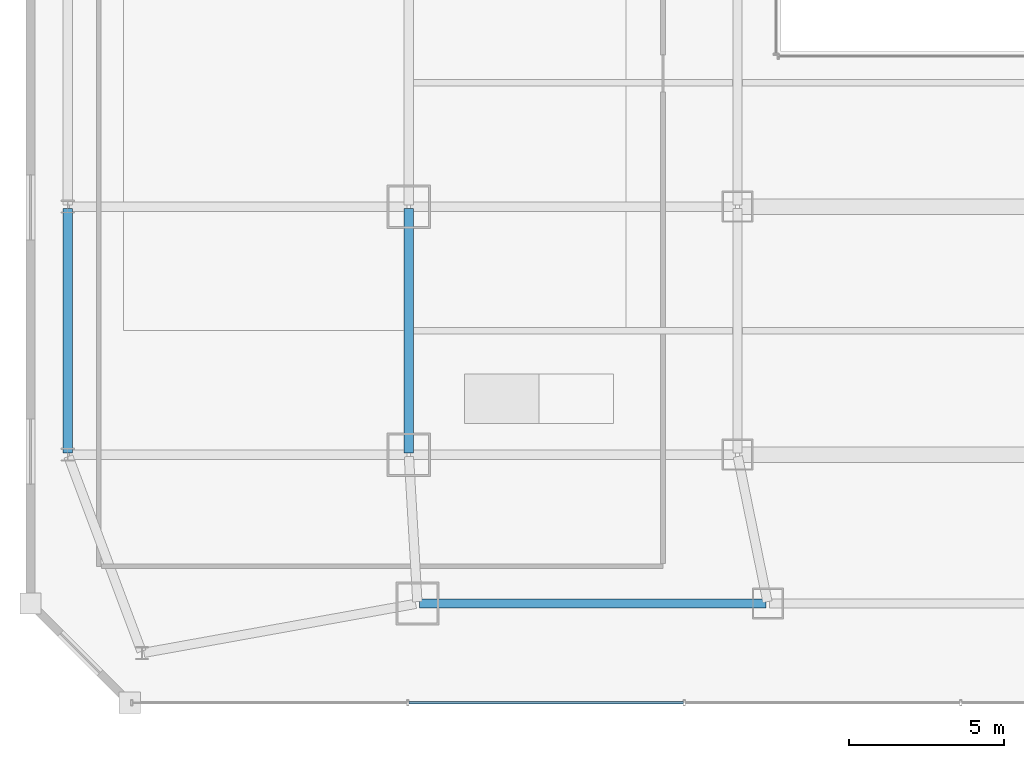
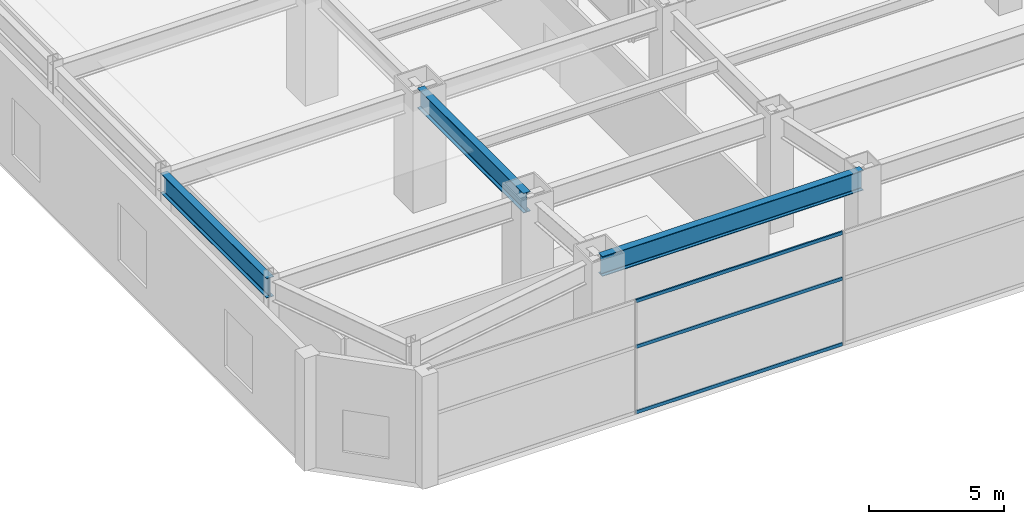
# One storey, part 9 of 51: 3 beams, 3 members, 1 element without a shape of its own.
"""IFC4 building model written with IfcOpenShell, lengths in metres."""

from ifc_helpers import new_model, si_unit, direction, frame, origin, origin_2d, place, context, subcontext, project, spatial, hollow_rectangle, i_section, extrude, material, material_profile, profile_set, type_object, element, aggregate, save


model = new_model("IFC4")

# Units and contexts
model_context = context("Model", 3, precision=1e-05, world=origin(), true_north=direction((0.0, 1.0)))
body_context = subcontext(model_context, "Body", "Model", "MODEL_VIEW")
ifc_project = project(units=[si_unit("LENGTHUNIT", "METRE"), si_unit("AREAUNIT", "SQUARE_METRE"), si_unit("VOLUMEUNIT", "CUBIC_METRE"), si_unit("PLANEANGLEUNIT", "RADIAN"), si_unit("MASSUNIT", "GRAM", prefix="KILO")], contexts=[model_context])

# Site, building, storey
site_placement = place(None, origin())
site = spatial("IfcSite", under=ifc_project, at=site_placement, CompositionType="ELEMENT")
building_placement = place(site_placement, origin())
building = spatial("IfcBuilding", under=site, at=building_placement, Name="Saevonmaru Cultural Tower", CompositionType="ELEMENT")
storey_placement = place(building_placement, frame((0.0, 0.0, 6.0)))
storey = spatial("IfcBuildingStorey", under=building, at=storey_placement, Name="L01", CompositionType="ELEMENT", Elevation=6.0)

# Beams
ifc_material_1 = material(Name="Steel SM420", Category="steel")
ifc_material_profile_1 = material_profile(ifc_material_1, i_section(OverallWidth=0.300048828125, OverallDepth=0.89990234375, WebThickness=0.01611328125, FlangeThickness=0.028076171875, FilletRadius=0.028076171875, at=origin_2d()), Name="H-900x300x16x28")
ifc_profile_set_1 = profile_set([ifc_material_profile_1], Name="Steel SM420")
beam_type = type_object("IfcBeamType", Name="BM-G-H900", PredefinedType="BEAM", material=ifc_profile_set_1)
beam_1_placement = place(storey_placement, frame((12.199951171875, 8.06005859375, 4.64990234375), z_axis=(0.0, 1.0, 0.0), x_axis=(-1.0, 0.0, 0.0)))
element("IfcBeam", 1, at=beam_1_placement, inside=storey, type_object=beam_type, Name="L01 Podium Girder NS1-2", PredefinedType="BEAM", context=body_context, shape_type="SweptSolid", body=[
    extrude(i_section(OverallWidth=0.300048828125, OverallDepth=0.89990234375, WebThickness=0.01611328125, FlangeThickness=0.028076171875, FilletRadius=0.028076171875, at=origin_2d()), origin(), (0.0, 0.0, 1.0), 7.8798828125),
])
beam_2_placement = place(storey_placement, frame((12.5400390625, 3.199951171875, 4.64990234375), z_axis=(1.0, 0.0, 0.0), x_axis=(0.0, 1.0, 0.0)))
element("IfcBeam", 2, at=beam_2_placement, inside=storey, type_object=beam_type, Name="BM-POD-EW-W-0-L01", PredefinedType="BEAM", context=body_context, shape_type="SweptSolid", body=[
    extrude(i_section(OverallWidth=0.300048828125, OverallDepth=0.89990234375, WebThickness=0.01611328125, FlangeThickness=0.028076171875, FilletRadius=0.028076171875, at=origin_2d()), origin(), (0.0, 0.0, 1.0), 11.179931640625),
])
beam_3_placement = place(storey_placement, frame((1.199951171875, 8.06005859375, 4.64990234375), z_axis=(0.0, 1.0, 0.0), x_axis=(-1.0, 0.0, 0.0)))
element("IfcBeam", 3, at=beam_3_placement, inside=storey, type_object=beam_type, Name="BM-POD-PW-1-L01", PredefinedType="BEAM", context=body_context, shape_type="SweptSolid", body=[
    extrude(i_section(OverallWidth=0.300048828125, OverallDepth=0.89990234375, WebThickness=0.01611328125, FlangeThickness=0.028076171875, FilletRadius=0.028076171875, at=origin_2d()), origin(), (0.0, 0.0, 1.0), 7.8798828125),
])

# Curtain wall, members
ifc_material_2 = material(Name="Satin Bronze Anodised Aluminium", Category="aluminium")
curtain_wall_type = type_object("IfcCurtainWallType", Name="CW-POD-GLZ", PredefinedType="NOTDEFINED", material=ifc_material_2)
curtain_wall_placement = place(storey_placement, origin())
curtain_wall = element("IfcCurtainWall", 4, at=curtain_wall_placement, inside=storey, type_object=curtain_wall_type, Name="L01 South Grand Foyer Curtain Wall", PredefinedType="NOTDEFINED")
ifc_material_profile_2 = material_profile(ifc_material_2, hollow_rectangle(XDim=0.06494140625, YDim=0.14990234375, WallThickness=0.00390625, at=origin_2d()), Name="ALU-TRAN-150x65x4")
ifc_profile_set_2 = profile_set([ifc_material_profile_2], Name="Satin Bronze Anodised Aluminium")
member_type = type_object("IfcMemberType", Name="TR-CW-150x65", PredefinedType="USERDEFINED", material=ifc_profile_set_2)
member_1_placement = place(storey_placement, frame((12.205810546875, 0.0, 0.032470703125), z_axis=(1.0, 0.0, 0.0), x_axis=(0.0, 1.0, 0.0)))
member_1 = element("IfcMember", 5, at=member_1_placement, type_object=member_type, Name="CW-POD-S-L01 transom 2.1", ObjectType="TRANSOM", PredefinedType="USERDEFINED", context=body_context, shape_type="SweptSolid", body=[
    extrude(hollow_rectangle(XDim=0.06494140625, YDim=0.14990234375, WallThickness=0.00390625, at=origin_2d()), origin(), (0.0, 0.0, 1.0), 8.848388671875),
])
member_2_placement = place(storey_placement, frame((12.205810546875, 0.0, 3.0), z_axis=(1.0, 0.0, 0.0), x_axis=(0.0, 1.0, 0.0)))
member_2 = element("IfcMember", 6, at=member_2_placement, type_object=member_type, Name="CW-POD-S-L01 transom 2.2", ObjectType="TRANSOM", PredefinedType="USERDEFINED", context=body_context, shape_type="SweptSolid", body=[
    extrude(hollow_rectangle(XDim=0.06494140625, YDim=0.14990234375, WallThickness=0.00390625, at=origin_2d()), origin(), (0.0, 0.0, 1.0), 8.848388671875),
])
member_3_placement = place(storey_placement, frame((12.205810546875, 0.0, 5.0673828125), z_axis=(1.0, 0.0, 0.0), x_axis=(0.0, 1.0, 0.0)))
member_3 = element("IfcMember", 7, at=member_3_placement, type_object=member_type, Name="CW-POD-S-L01 transom 2.3", ObjectType="TRANSOM", PredefinedType="USERDEFINED", context=body_context, shape_type="SweptSolid", body=[
    extrude(hollow_rectangle(XDim=0.06494140625, YDim=0.14990234375, WallThickness=0.00390625, at=origin_2d()), origin(), (0.0, 0.0, 1.0), 8.848388671875),
])
aggregate(curtain_wall, [member_1, member_2, member_3])

save(model, "model.ifc")
